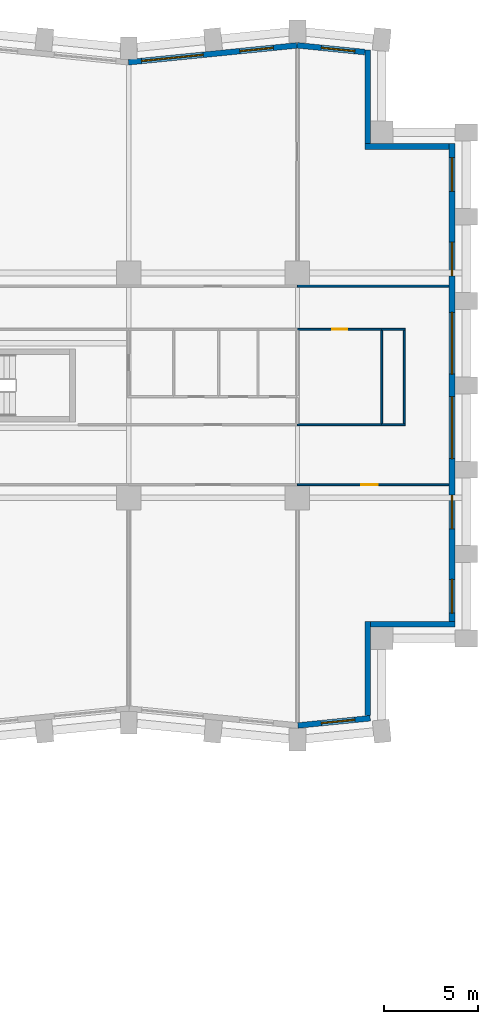
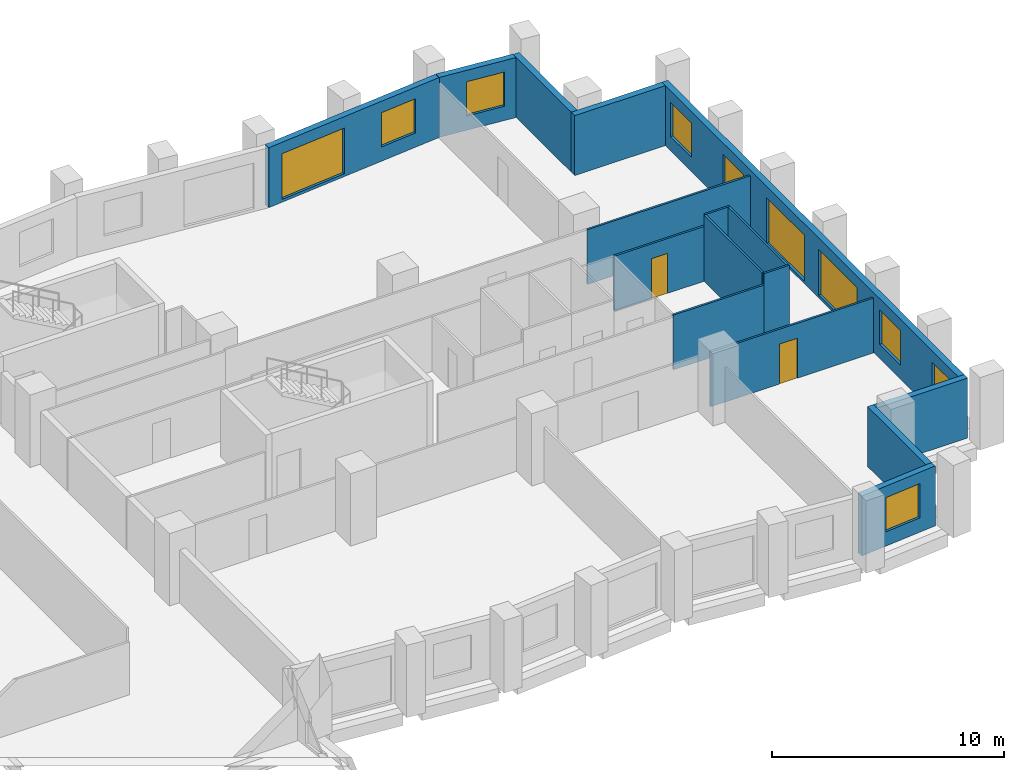
# One storey, part 8 of 11: 16 walls, 10 windows, 2 doors, 12 openings.
"""IFC4 building model written with IfcOpenShell, lengths in metres."""

from ifc_helpers import new_model, si_unit, direction, frame, frame_2d, origin, place, context, subcontext, project, spatial, rectangle, extrude, material, layer, layer_set, type_object, element, fill, save


model = new_model("IFC4")

# Units and contexts
model_context = context("Model", 3, precision=1e-05, world=origin(), true_north=direction((0.0, 1.0)))
body_context = subcontext(model_context, "Body", "Model", "MODEL_VIEW")
ifc_project = project(units=[si_unit("LENGTHUNIT", "METRE"), si_unit("AREAUNIT", "SQUARE_METRE"), si_unit("VOLUMEUNIT", "CUBIC_METRE"), si_unit("PLANEANGLEUNIT", "RADIAN"), si_unit("MASSUNIT", "GRAM", prefix="KILO")], contexts=[model_context])

# Site, building, storey
site_placement = place(None, origin())
site = spatial("IfcSite", under=ifc_project, at=site_placement, CompositionType="ELEMENT")
building_placement = place(site_placement, origin())
building = spatial("IfcBuilding", under=site, at=building_placement, Name="Brondeck Convention Tower", CompositionType="ELEMENT")
storey_placement = place(building_placement, frame((0.0, 0.0, 107.5)))
storey = spatial("IfcBuildingStorey", under=building, at=storey_placement, Name="L25", CompositionType="ELEMENT", Elevation=107.5)

# Wall, opening, window
ifc_material_1 = material(Name="Precast concrete C50/60 bronze finish", Category="concrete")
ifc_layer_1 = layer(ifc_material_1, 0.070068359375, Name="Bronze precast facing")
ifc_material_2 = material(Name="Mineral wool")
ifc_layer_2 = layer(ifc_material_2, 0.159912109375, Name="Insulation")
ifc_material_3 = material(Name="Concrete C35/45", Category="concrete")
ifc_layer_3 = layer(ifc_material_3, 0.070068359375, Name="Backing")
ifc_layer_set_1 = layer_set([ifc_layer_1, ifc_layer_2, ifc_layer_3], Name="External infill wall, precast concrete C50/60 bronze facing")
wall_type_1 = type_object("IfcWallType", Name="External infill wall, precast concrete C50/60 bronze facing", PredefinedType="SOLIDWALL", material=ifc_layer_set_1)
wall_1_placement = place(storey_placement, frame((66.885009765625, 27.2421875, 0.0), z_axis=(0.0, 0.0, 1.0), x_axis=(-0.995037814081, -0.099497480111, 0.0)))
wall_1 = element("IfcWall", 1, at=wall_1_placement, inside=storey, type_object=wall_type_1, Name="ENV-EW-L25-P0-A-S-06", PredefinedType="SOLIDWALL", context=body_context, shape_type="SweptSolid", body=[
    extrude(rectangle(XDim=3.87451171875, YDim=0.300048828125, at=frame_2d((1.937255859375, 0.0))), origin(), (0.0, 0.0, 1.0), 3.14990234375),
])
opening_1_placement = place(wall_1_placement, frame((0.818359375, 0.0, 0.75)))
opening_1 = element("IfcOpeningElement", 2, at=opening_1_placement, cuts=wall_1, Name="Opening W10", PredefinedType="OPENING", context=body_context, shape_type="SweptSolid", body=[
    extrude(rectangle(XDim=1.800048828125, YDim=1.800048828125, at=frame_2d((0.89990234375, 0.89990234375))), frame((0.0, 0.159912109375, 0.0), z_axis=(0.0, -1.0, 0.0), x_axis=(1.0, 0.0, 0.0)), (0.0, 0.0, 1.0), 0.320068359375),
])
ifc_material_4 = material(Name="Bronze tinted double glazing", Category="glass")
window_type_1 = type_object("IfcWindowType", Name="Punched window, bronze tinted", PartitioningType="SINGLE_PANEL", PredefinedType="WINDOW", material=ifc_material_4)
window_1_placement = place(opening_1_placement, origin())
window_1 = element("IfcWindow", 3, at=window_1_placement, inside=storey, type_object=window_type_1, Name="ENV-WN-L25-P0-A-S-06", OverallHeight=1.800048828125, OverallWidth=1.800048828125, PartitioningType="SINGLE_PANEL", PredefinedType="WINDOW", context=body_context, shape_type="SweptSolid", body=[
    extrude(rectangle(XDim=1.800048828125, YDim=1.800048828125, at=frame_2d((0.89990234375, 0.89990234375))), frame((0.0, 0.030029296875, 0.0), z_axis=(0.0, -1.0, 0.0), x_axis=(1.0, 0.0, 0.0)), (0.0, 0.0, 1.0), 0.06005859375),
])
fill(opening_1, window_1)

# Walls
wall_2_placement = place(storey_placement, frame((66.75, 32.39990234375, 0.0), z_axis=(0.0, 0.0, 1.0), x_axis=(0.0, -1.0, 0.0)))
element("IfcWall", 4, at=wall_2_placement, inside=storey, type_object=wall_type_1, Name="ENV-EW-L25-P0-NC-SEA72-01", PredefinedType="SOLIDWALL", context=body_context, shape_type="SweptSolid", body=[
    extrude(rectangle(XDim=5.019287109375, YDim=0.300048828125, at=frame_2d((2.509765625, 0.0))), origin(), (0.0, 0.0, 1.0), 3.14990234375),
])
wall_3_placement = place(storey_placement, frame((71.39990234375, 32.25, 0.0), z_axis=(0.0, 0.0, 1.0), x_axis=(-1.0, 0.0, 0.0)))
element("IfcWall", 5, at=wall_3_placement, inside=storey, type_object=wall_type_1, Name="ENV-EW-L25-P0-NC-SEA72-02", PredefinedType="SOLIDWALL", context=body_context, shape_type="SweptSolid", body=[
    extrude(rectangle(XDim=4.5, YDim=0.300048828125, at=frame_2d((2.25, 0.0))), origin(), (0.0, 0.0, 1.0), 3.14990234375),
])

# Wall, openings, windows
wall_4_placement = place(storey_placement, frame((71.25, 57.89990234375, 0.0), z_axis=(0.0, 0.0, 1.0), x_axis=(0.0, -1.0, 0.0)))
wall_4 = element("IfcWall", 6, at=wall_4_placement, inside=storey, type_object=wall_type_1, Name="ENV-EW-L25-P0-A-E72-01", PredefinedType="SOLIDWALL", context=body_context, shape_type="SweptSolid", body=[
    extrude(rectangle(XDim=25.501953125, YDim=0.300048828125, at=frame_2d((12.7509765625, 0.0))), origin(), (0.0, 0.0, 1.0), 3.14990234375),
])
opening_2_placement = place(wall_4_placement, frame((0.75, 0.0, 0.75)))
opening_2 = element("IfcOpeningElement", 7, at=opening_2_placement, cuts=wall_4, Name="Opening W10", PredefinedType="OPENING", context=body_context, shape_type="SweptSolid", body=[
    extrude(rectangle(XDim=1.800048828125, YDim=1.800048828125, at=frame_2d((0.89990234375, 0.89990234375))), frame((0.0, 0.159912109375, 0.0), z_axis=(0.0, -1.0, 0.0), x_axis=(1.0, 0.0, 0.0)), (0.0, 0.0, 1.0), 0.320068359375),
])
opening_3_placement = place(wall_4_placement, frame((5.25, 0.0, 0.75)))
opening_3 = element("IfcOpeningElement", 8, at=opening_3_placement, cuts=wall_4, Name="Opening W10", PredefinedType="OPENING", context=body_context, shape_type="SweptSolid", body=[
    extrude(rectangle(XDim=1.800048828125, YDim=1.800048828125, at=frame_2d((0.89990234375, 0.89990234375))), frame((0.0, 0.159912109375, 0.0), z_axis=(0.0, -1.0, 0.0), x_axis=(1.0, 0.0, 0.0)), (0.0, 0.0, 1.0), 0.320068359375),
])
opening_4_placement = place(wall_4_placement, frame((9.0, 0.0, 0.14990234375)))
opening_4 = element("IfcOpeningElement", 9, at=opening_4_placement, cuts=wall_4, Name="Opening W9", PredefinedType="OPENING", context=body_context, shape_type="SweptSolid", body=[
    extrude(rectangle(XDim=3.300048828125, YDim=2.39990234375, at=frame_2d((1.64990234375, 1.199951171875))), frame((0.0, 0.159912109375, 0.0), z_axis=(0.0, -1.0, 0.0), x_axis=(1.0, 0.0, 0.0)), (0.0, 0.0, 1.0), 0.320068359375),
])
opening_5_placement = place(wall_4_placement, frame((13.5, 0.0, 0.14990234375)))
opening_5 = element("IfcOpeningElement", 10, at=opening_5_placement, cuts=wall_4, Name="Opening W9", PredefinedType="OPENING", context=body_context, shape_type="SweptSolid", body=[
    extrude(rectangle(XDim=3.300048828125, YDim=2.39990234375, at=frame_2d((1.64990234375, 1.199951171875))), frame((0.0, 0.159912109375, 0.0), z_axis=(0.0, -1.0, 0.0), x_axis=(1.0, 0.0, 0.0)), (0.0, 0.0, 1.0), 0.320068359375),
])
opening_6_placement = place(wall_4_placement, frame((18.75, 0.0, 0.75)))
opening_6 = element("IfcOpeningElement", 11, at=opening_6_placement, cuts=wall_4, Name="Opening W10", PredefinedType="OPENING", context=body_context, shape_type="SweptSolid", body=[
    extrude(rectangle(XDim=1.800048828125, YDim=1.800048828125, at=frame_2d((0.89990234375, 0.89990234375))), frame((0.0, 0.159912109375, 0.0), z_axis=(0.0, -1.0, 0.0), x_axis=(1.0, 0.0, 0.0)), (0.0, 0.0, 1.0), 0.320068359375),
])
opening_7_placement = place(wall_4_placement, frame((23.25, 0.0, 0.75)))
opening_7 = element("IfcOpeningElement", 12, at=opening_7_placement, cuts=wall_4, Name="Opening W10", PredefinedType="OPENING", context=body_context, shape_type="SweptSolid", body=[
    extrude(rectangle(XDim=1.800048828125, YDim=1.800048828125, at=frame_2d((0.89990234375, 0.89990234375))), frame((0.0, 0.159912109375, 0.0), z_axis=(0.0, -1.0, 0.0), x_axis=(1.0, 0.0, 0.0)), (0.0, 0.0, 1.0), 0.320068359375),
])
window_type_2 = type_object("IfcWindowType", Name="Glazed flute window, bronze tinted", PartitioningType="SINGLE_PANEL", PredefinedType="WINDOW", material=ifc_material_4)
window_2_placement = place(opening_4_placement, origin())
window_2 = element("IfcWindow", 13, at=window_2_placement, inside=storey, type_object=window_type_2, Name="ENV-WN-L25-P0-A-E72-04", OverallHeight=2.39990234375, OverallWidth=3.300048828125, PartitioningType="SINGLE_PANEL", PredefinedType="WINDOW", context=body_context, shape_type="SweptSolid", body=[
    extrude(rectangle(XDim=3.300048828125, YDim=2.39990234375, at=frame_2d((1.64990234375, 1.199951171875))), frame((0.0, 0.030029296875, 0.0), z_axis=(0.0, -1.0, 0.0), x_axis=(1.0, 0.0, 0.0)), (0.0, 0.0, 1.0), 0.06005859375),
])
fill(opening_4, window_2)
window_3_placement = place(opening_5_placement, origin())
window_3 = element("IfcWindow", 14, at=window_3_placement, inside=storey, type_object=window_type_2, Name="ENV-WN-L25-P0-A-E72-03", OverallHeight=2.39990234375, OverallWidth=3.300048828125, PartitioningType="SINGLE_PANEL", PredefinedType="WINDOW", context=body_context, shape_type="SweptSolid", body=[
    extrude(rectangle(XDim=3.300048828125, YDim=2.39990234375, at=frame_2d((1.64990234375, 1.199951171875))), frame((0.0, 0.030029296875, 0.0), z_axis=(0.0, -1.0, 0.0), x_axis=(1.0, 0.0, 0.0)), (0.0, 0.0, 1.0), 0.06005859375),
])
fill(opening_5, window_3)
window_4_placement = place(opening_2_placement, origin())
window_4 = element("IfcWindow", 15, at=window_4_placement, inside=storey, type_object=window_type_1, Name="ENV-WN-L25-P0-A-E72-06", OverallHeight=1.800048828125, OverallWidth=1.800048828125, PartitioningType="SINGLE_PANEL", PredefinedType="WINDOW", context=body_context, shape_type="SweptSolid", body=[
    extrude(rectangle(XDim=1.800048828125, YDim=1.800048828125, at=frame_2d((0.89990234375, 0.89990234375))), frame((0.0, 0.030029296875, 0.0), z_axis=(0.0, -1.0, 0.0), x_axis=(1.0, 0.0, 0.0)), (0.0, 0.0, 1.0), 0.06005859375),
])
fill(opening_2, window_4)
window_5_placement = place(opening_3_placement, origin())
window_5 = element("IfcWindow", 16, at=window_5_placement, inside=storey, type_object=window_type_1, Name="ENV-WN-L25-P0-A-E72-05", OverallHeight=1.800048828125, OverallWidth=1.800048828125, PartitioningType="SINGLE_PANEL", PredefinedType="WINDOW", context=body_context, shape_type="SweptSolid", body=[
    extrude(rectangle(XDim=1.800048828125, YDim=1.800048828125, at=frame_2d((0.89990234375, 0.89990234375))), frame((0.0, 0.030029296875, 0.0), z_axis=(0.0, -1.0, 0.0), x_axis=(1.0, 0.0, 0.0)), (0.0, 0.0, 1.0), 0.06005859375),
])
fill(opening_3, window_5)
window_6_placement = place(opening_6_placement, origin())
window_6 = element("IfcWindow", 17, at=window_6_placement, inside=storey, type_object=window_type_1, Name="ENV-WN-L25-P0-A-E72-02", OverallHeight=1.800048828125, OverallWidth=1.800048828125, PartitioningType="SINGLE_PANEL", PredefinedType="WINDOW", context=body_context, shape_type="SweptSolid", body=[
    extrude(rectangle(XDim=1.800048828125, YDim=1.800048828125, at=frame_2d((0.89990234375, 0.89990234375))), frame((0.0, 0.030029296875, 0.0), z_axis=(0.0, -1.0, 0.0), x_axis=(1.0, 0.0, 0.0)), (0.0, 0.0, 1.0), 0.06005859375),
])
fill(opening_6, window_6)
window_7_placement = place(opening_7_placement, origin())
window_7 = element("IfcWindow", 18, at=window_7_placement, inside=storey, type_object=window_type_1, Name="ENV-WN-L25-P0-A-E72-01", OverallHeight=1.800048828125, OverallWidth=1.800048828125, PartitioningType="SINGLE_PANEL", PredefinedType="WINDOW", context=body_context, shape_type="SweptSolid", body=[
    extrude(rectangle(XDim=1.800048828125, YDim=1.800048828125, at=frame_2d((0.89990234375, 0.89990234375))), frame((0.0, 0.030029296875, 0.0), z_axis=(0.0, -1.0, 0.0), x_axis=(1.0, 0.0, 0.0)), (0.0, 0.0, 1.0), 0.06005859375),
])
fill(opening_7, window_7)

# Walls
wall_5_placement = place(storey_placement, frame((66.60009765625, 57.75, 0.0), z_axis=(0.0, 0.0, 1.0), x_axis=(1.0, 0.0, 0.0)))
element("IfcWall", 19, at=wall_5_placement, inside=storey, type_object=wall_type_1, Name="ENV-EW-L25-P0-NC-NEA72-01", PredefinedType="SOLIDWALL", context=body_context, shape_type="SweptSolid", body=[
    extrude(rectangle(XDim=4.5, YDim=0.300048828125, at=frame_2d((2.25, 0.0))), origin(), (0.0, 0.0, 1.0), 3.14990234375),
])
wall_6_placement = place(storey_placement, frame((66.75, 62.906982421875, 0.0), z_axis=(0.0, 0.0, 1.0), x_axis=(0.0, -1.0, 0.0)))
element("IfcWall", 20, at=wall_6_placement, inside=storey, type_object=wall_type_1, Name="ENV-EW-L25-P0-NC-NEA72-02", PredefinedType="SOLIDWALL", context=body_context, shape_type="SweptSolid", body=[
    extrude(rectangle(XDim=5.009033203125, YDim=0.300048828125, at=frame_2d((2.50439453125, 0.0))), origin(), (0.0, 0.0, 1.0), 3.14990234375),
])

# Wall, opening, window
wall_7_placement = place(storey_placement, frame((62.985107421875, 63.147705078125, 0.0), z_axis=(0.0, 0.0, 1.0), x_axis=(0.995038521274, -0.099490407478, 0.0)))
wall_7 = element("IfcWall", 21, at=wall_7_placement, inside=storey, type_object=wall_type_1, Name="ENV-EW-L25-P0-A-N-14", PredefinedType="SOLIDWALL", context=body_context, shape_type="SweptSolid", body=[
    extrude(rectangle(XDim=3.6318359375, YDim=0.300048828125, at=frame_2d((1.81591796875, 0.0))), origin(), (0.0, 0.0, 1.0), 3.14990234375),
])
opening_8_placement = place(wall_7_placement, frame((1.30126953125, 0.0, 0.75)))
opening_8 = element("IfcOpeningElement", 22, at=opening_8_placement, cuts=wall_7, Name="Opening W10", PredefinedType="OPENING", context=body_context, shape_type="SweptSolid", body=[
    extrude(rectangle(XDim=1.800048828125, YDim=1.800048828125, at=frame_2d((0.89990234375, 0.89990234375))), frame((0.0, 0.159912109375, 0.0), z_axis=(0.0, -1.0, 0.0), x_axis=(1.0, 0.0, 0.0)), (0.0, 0.0, 1.0), 0.320068359375),
])
window_8_placement = place(opening_8_placement, origin())
window_8 = element("IfcWindow", 23, at=window_8_placement, inside=storey, type_object=window_type_1, Name="ENV-WN-L25-P0-A-N-14", OverallHeight=1.800048828125, OverallWidth=1.800048828125, PartitioningType="SINGLE_PANEL", PredefinedType="WINDOW", context=body_context, shape_type="SweptSolid", body=[
    extrude(rectangle(XDim=1.800048828125, YDim=1.800048828125, at=frame_2d((0.89990234375, 0.89990234375))), frame((0.0, 0.030029296875, 0.0), z_axis=(0.0, -1.0, 0.0), x_axis=(1.0, 0.0, 0.0)), (0.0, 0.0, 1.0), 0.06005859375),
])
fill(opening_8, window_8)

# Wall, openings, windows
wall_8_placement = place(storey_placement, frame((53.985107421875, 62.244873046875, 0.0), z_axis=(0.0, 0.0, 1.0), x_axis=(0.995037993253, 0.099495688264, 0.0)))
wall_8 = element("IfcWall", 24, at=wall_8_placement, inside=storey, type_object=wall_type_1, Name="ENV-EW-L25-P0-A-N-13", PredefinedType="SOLIDWALL", context=body_context, shape_type="SweptSolid", body=[
    extrude(rectangle(XDim=9.030029296875, YDim=0.300048828125, at=frame_2d((4.51513671875, 0.0))), origin(), (0.0, 0.0, 1.0), 3.14990234375),
])
opening_9_placement = place(wall_8_placement, frame((0.701171875, 0.0, 0.14990234375)))
opening_9 = element("IfcOpeningElement", 25, at=opening_9_placement, cuts=wall_8, Name="Opening W9", PredefinedType="OPENING", context=body_context, shape_type="SweptSolid", body=[
    extrude(rectangle(XDim=3.300048828125, YDim=2.39990234375, at=frame_2d((1.64990234375, 1.199951171875))), frame((0.0, 0.159912109375, 0.0), z_axis=(0.0, -1.0, 0.0), x_axis=(1.0, 0.0, 0.0)), (0.0, 0.0, 1.0), 0.320068359375),
])
opening_10_placement = place(wall_8_placement, frame((5.9736328125, 0.0, 0.75)))
opening_10 = element("IfcOpeningElement", 26, at=opening_10_placement, cuts=wall_8, Name="Opening W10", PredefinedType="OPENING", context=body_context, shape_type="SweptSolid", body=[
    extrude(rectangle(XDim=1.800048828125, YDim=1.800048828125, at=frame_2d((0.89990234375, 0.89990234375))), frame((0.0, 0.159912109375, 0.0), z_axis=(0.0, -1.0, 0.0), x_axis=(1.0, 0.0, 0.0)), (0.0, 0.0, 1.0), 0.320068359375),
])
window_9_placement = place(opening_9_placement, origin())
window_9 = element("IfcWindow", 27, at=window_9_placement, inside=storey, type_object=window_type_2, Name="ENV-WN-L25-P0-A-N-12", OverallHeight=2.39990234375, OverallWidth=3.300048828125, PartitioningType="SINGLE_PANEL", PredefinedType="WINDOW", context=body_context, shape_type="SweptSolid", body=[
    extrude(rectangle(XDim=3.300048828125, YDim=2.39990234375, at=frame_2d((1.64990234375, 1.199951171875))), frame((0.0, 0.030029296875, 0.0), z_axis=(0.0, -1.0, 0.0), x_axis=(1.0, 0.0, 0.0)), (0.0, 0.0, 1.0), 0.06005859375),
])
fill(opening_9, window_9)
window_10_placement = place(opening_10_placement, origin())
window_10 = element("IfcWindow", 28, at=window_10_placement, inside=storey, type_object=window_type_1, Name="ENV-WN-L25-P0-A-N-13", OverallHeight=1.800048828125, OverallWidth=1.800048828125, PartitioningType="SINGLE_PANEL", PredefinedType="WINDOW", context=body_context, shape_type="SweptSolid", body=[
    extrude(rectangle(XDim=1.800048828125, YDim=1.800048828125, at=frame_2d((0.89990234375, 0.89990234375))), frame((0.0, 0.030029296875, 0.0), z_axis=(0.0, -1.0, 0.0), x_axis=(1.0, 0.0, 0.0)), (0.0, 0.0, 1.0), 0.06005859375),
])
fill(opening_10, window_10)

# Wall, opening, door
ifc_material_5 = material(Name="Gypsum board partition on steel studs", Category="steel")
ifc_layer_4 = layer(ifc_material_5, 0.10009765625)
ifc_layer_set_2 = layer_set([ifc_layer_4], Name="Room partition 100")
wall_type_2 = type_object("IfcWallType", Name="Room partition 100", PredefinedType="PARTITIONING", material=ifc_layer_set_2)
wall_9_placement = place(storey_placement, frame((71.080078125, 39.699951171875, 0.0), z_axis=(0.0, 0.0, 1.0), x_axis=(-1.0, 0.0, 0.0)))
wall_9 = element("IfcWall", 29, at=wall_9_placement, inside=storey, type_object=wall_type_2, Name="FLR-L25-W036", PredefinedType="PARTITIONING", context=body_context, shape_type="SweptSolid", body=[
    extrude(rectangle(XDim=8.080078125, YDim=0.10009765625, at=frame_2d((4.0400390625, 0.0))), origin(), (0.0, 0.0, 1.0), 2.8798828125),
])
opening_11_placement = place(wall_9_placement, frame((3.781005859375, 0.0, 0.0)))
opening_11 = element("IfcOpeningElement", 30, at=opening_11_placement, cuts=wall_9, Name="Opening OF-B-011", PredefinedType="OPENING", context=body_context, shape_type="SweptSolid", body=[
    extrude(rectangle(XDim=0.89990234375, YDim=2.10009765625, at=frame_2d((0.449951171875, 1.050048828125))), frame((0.0, 0.06005859375, 0.0), z_axis=(0.0, -1.0, 0.0), x_axis=(1.0, 0.0, 0.0)), (0.0, 0.0, 1.0), 0.1201171875),
])
ifc_material_6 = material(Name="Solid timber door leaf", Category="wood")
door_type_1 = type_object("IfcDoorType", Name="Single door 900", OperationType="NOTDEFINED", PredefinedType="DOOR", material=ifc_material_6)
door_1_placement = place(opening_11_placement, origin())
door_1 = element("IfcDoor", 31, at=door_1_placement, inside=storey, type_object=door_type_1, Name="Door OF-B-011", OperationType="SINGLE_SWING_RIGHT", OverallHeight=2.10009765625, OverallWidth=0.89990234375, PredefinedType="DOOR", context=body_context, shape_type="SweptSolid", body=[
    extrude(rectangle(XDim=0.89990234375, YDim=2.10009765625, at=frame_2d((0.449951171875, 1.050048828125))), frame((0.0, 0.02490234375, 0.0), z_axis=(0.0, -1.0, 0.0), x_axis=(1.0, 0.0, 0.0)), (0.0, 0.0, 1.0), 0.050048828125),
])
fill(opening_11, door_1)

# Walls
wall_10_placement = place(storey_placement, frame((63.0, 42.89990234375, 0.0), z_axis=(0.0, 0.0, 1.0), x_axis=(1.0, 0.0, 0.0)))
element("IfcWall", 32, at=wall_10_placement, inside=storey, type_object=wall_type_2, Name="FLR-L25-W040", PredefinedType="PARTITIONING", context=body_context, shape_type="SweptSolid", body=[
    extrude(rectangle(XDim=4.5, YDim=0.10009765625, at=frame_2d((2.25, 0.0))), origin(), (0.0, 0.0, 1.0), 2.8798828125),
])
wall_11_placement = place(storey_placement, frame((67.5, 42.89990234375, 0.0), z_axis=(0.0, 0.0, 1.0), x_axis=(1.0, 0.0, 0.0)))
element("IfcWall", 33, at=wall_11_placement, inside=storey, type_object=wall_type_2, Name="FLR-L25-W041", PredefinedType="PARTITIONING", context=body_context, shape_type="SweptSolid", body=[
    extrude(rectangle(XDim=1.25, YDim=0.10009765625, at=frame_2d((0.625, 0.0))), origin(), (0.0, 0.0, 1.0), 3.47998046875),
])
for number, where, z_axis, x_axis, name in (
    (34, (68.699951171875, 42.949951171875, 0.0), (0.0, 0.0, 1.0), (0.0, 1.0, 0.0), "FLR-L25-W043"),
    (35, (67.5, 47.949951171875, 0.0), (0.0, 0.0, 1.0), (0.0, -1.0, 0.0), "FLR-L25-W055"),
):
    element("IfcWall", number, at=place(storey_placement, frame(where, z_axis=z_axis, x_axis=x_axis)), inside=storey, type_object=wall_type_2, Name=name, PredefinedType="PARTITIONING", context=body_context, shape_type="SweptSolid", body=[
        extrude(rectangle(XDim=5.0, YDim=0.10009765625, at=frame_2d((2.5, 0.0))), origin(), (0.0, 0.0, 1.0), 3.47998046875),
    ])

# Wall, opening, door
wall_12_placement = place(storey_placement, frame((67.5, 48.0, 0.0), z_axis=(0.0, 0.0, 1.0), x_axis=(-1.0, 0.0, 0.0)))
wall_12 = element("IfcWall", 36, at=wall_12_placement, inside=storey, type_object=wall_type_2, Name="FLR-L25-W062", PredefinedType="PARTITIONING", context=body_context, shape_type="SweptSolid", body=[
    extrude(rectangle(XDim=4.5, YDim=0.10009765625, at=frame_2d((2.25, 0.0))), origin(), (0.0, 0.0, 1.0), 2.8798828125),
])
opening_12_placement = place(wall_12_placement, frame((1.85009765625, 0.0, 0.0)))
opening_12 = element("IfcOpeningElement", 37, at=opening_12_placement, cuts=wall_12, Name="Opening OF-B-008", PredefinedType="OPENING", context=body_context, shape_type="SweptSolid", body=[
    extrude(rectangle(XDim=0.800048828125, YDim=2.10009765625, at=frame_2d((0.39990234375, 1.050048828125))), frame((0.0, 0.06005859375, 0.0), z_axis=(0.0, -1.0, 0.0), x_axis=(1.0, 0.0, 0.0)), (0.0, 0.0, 1.0), 0.1201171875),
])
ifc_material_7 = material(Name="Steel service door leaf", Category="steel")
door_type_2 = type_object("IfcDoorType", Name="Service door 800", OperationType="NOTDEFINED", PredefinedType="DOOR", material=ifc_material_7)
door_2_placement = place(opening_12_placement, origin())
door_2 = element("IfcDoor", 38, at=door_2_placement, inside=storey, type_object=door_type_2, Name="Door OF-B-008", OperationType="SINGLE_SWING_LEFT", OverallHeight=2.10009765625, OverallWidth=0.800048828125, PredefinedType="DOOR", context=body_context, shape_type="SweptSolid", body=[
    extrude(rectangle(XDim=0.800048828125, YDim=2.10009765625, at=frame_2d((0.39990234375, 1.050048828125))), frame((0.0, 0.02490234375, 0.0), z_axis=(0.0, -1.0, 0.0), x_axis=(1.0, 0.0, 0.0)), (0.0, 0.0, 1.0), 0.050048828125),
])
fill(opening_12, door_2)

# Walls
wall_13_placement = place(storey_placement, frame((68.75, 48.0, 0.0), z_axis=(0.0, 0.0, 1.0), x_axis=(-1.0, 0.0, 0.0)))
element("IfcWall", 39, at=wall_13_placement, inside=storey, type_object=wall_type_2, Name="FLR-L25-W063", PredefinedType="PARTITIONING", context=body_context, shape_type="SweptSolid", body=[
    extrude(rectangle(XDim=1.25, YDim=0.10009765625, at=frame_2d((0.625, 0.0))), origin(), (0.0, 0.0, 1.0), 3.47998046875),
])
wall_14_placement = place(storey_placement, frame((63.0, 50.300048828125, 0.0), z_axis=(0.0, 0.0, 1.0), x_axis=(1.0, 0.0, 0.0)))
element("IfcWall", 40, at=wall_14_placement, inside=storey, type_object=wall_type_2, Name="FLR-L25-W067", PredefinedType="PARTITIONING", context=body_context, shape_type="SweptSolid", body=[
    extrude(rectangle(XDim=8.080078125, YDim=0.10009765625, at=frame_2d((4.0400390625, 0.0))), origin(), (0.0, 0.0, 1.0), 2.8798828125),
])

save(model, "model.ifc")
